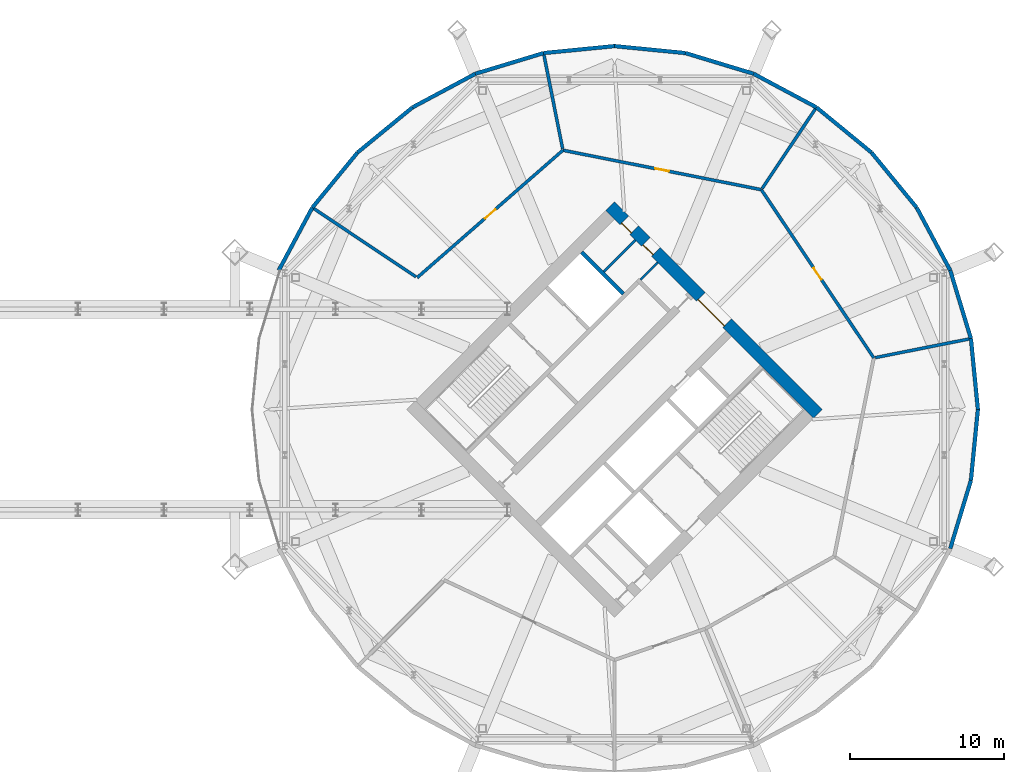
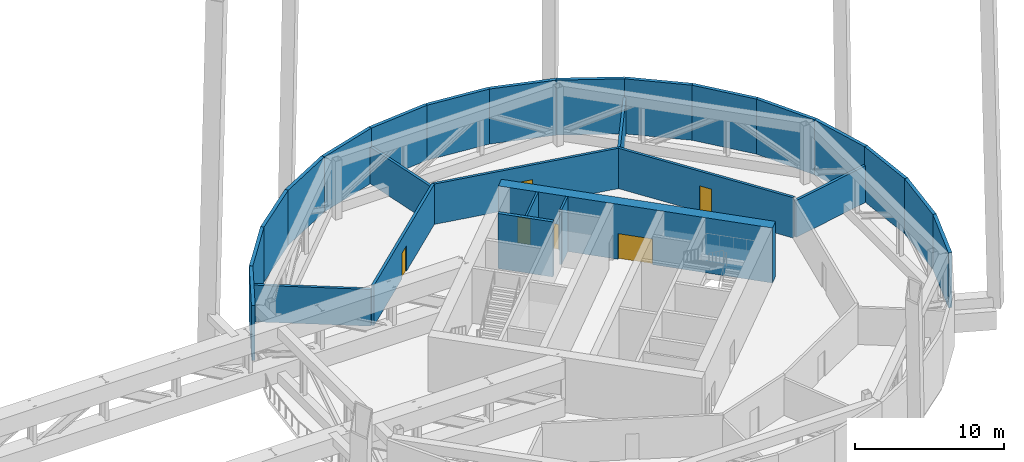
# One storey, part 16 of 19: 27 walls, 6 doors, 6 openings.
"""IFC4 building model written with IfcOpenShell, lengths in metres."""

import ifcopenshell
import ifcopenshell.guid

model = None  # the IFC model being written
_history = None  # IfcOwnerHistory: only IFC2X3 demands one
_inside = {}  # id of a spatial element -> (the spatial element, [elements in it])
_under = {}  # id of a project, library or spatial element -> (it, [spatial elements below it])
_declared = {}  # id of a project -> (the project, [libraries it declares])
_typed = {}  # id of a type object -> (the type object, [elements of that type])
_made_of = {}  # id of a material, layer set ... -> (it, [elements and type objects made of it])


def new_model(schema):
    """Start an empty IFC model of exactly this schema.

    Asked for "IFC4X3", IfcOpenShell would pick the latest addendum, in which some entities
    have other attributes; the version numbers below select the first issue.
    IFC2X3 requires an IfcOwnerHistory on every rooted entity: one is made here for all.
    """
    global model, _history
    if schema == "IFC4X3":
        model = ifcopenshell.file(schema_version=(4, 3, 0, 0))
    else:
        model = ifcopenshell.file(schema=schema)
    _inside.clear()
    _under.clear()
    _declared.clear()
    _typed.clear()
    _made_of.clear()
    _history = None
    if model.schema == "IFC2X3":
        org = make("IfcOrganization", Name="unknown")
        user = make(
            "IfcPersonAndOrganization",
            ThePerson=make("IfcPerson", FamilyName="unknown"),
            TheOrganization=org,
        )
        app = make(
            "IfcApplication",
            ApplicationDeveloper=org,
            Version="unknown",
            ApplicationFullName="unknown",
            ApplicationIdentifier="unknown",
        )
        _history = make(
            "IfcOwnerHistory",
            OwningUser=user,
            OwningApplication=app,
            ChangeAction="ADDED",
            CreationDate=0,
        )
    return model


def make(cls, **values):
    """One entity of the class cls with the attributes given. An attribute that is None is left unset."""
    return model.create_entity(
        cls, **{name: value for name, value in values.items() if value is not None}
    )


def rooted(cls, **values):
    """An entity with a GlobalId (a new one), such as an element, a storey or a relation."""
    return make(cls, GlobalId=ifcopenshell.guid.new(), OwnerHistory=_history, **values)


def si_unit(unit_type, name, prefix=None):
    """IfcSIUnit, for example si_unit("LENGTHUNIT", "METRE", prefix="MILLI")."""
    return make("IfcSIUnit", UnitType=unit_type, Prefix=prefix, Name=name)


def assignment(units):
    """IfcUnitAssignment: the units of a project."""
    return None if units is None else make("IfcUnitAssignment", Units=units)


def point(xyz):
    """IfcCartesianPoint."""
    return None if xyz is None else make("IfcCartesianPoint", Coordinates=xyz)


def direction(xyz):
    """IfcDirection."""
    return None if xyz is None else make("IfcDirection", DirectionRatios=xyz)


def frame(location, z_axis=None, x_axis=None):
    """IfcAxis2Placement3D, a coordinate frame: its origin and axes. An axis left out is left unset."""
    return make(
        "IfcAxis2Placement3D",
        Location=point(location),
        Axis=direction(z_axis),
        RefDirection=direction(x_axis),
    )


def frame_2d(location, x_axis=None):
    """IfcAxis2Placement2D, a coordinate frame in the plane: its origin and x axis."""
    return make(
        "IfcAxis2Placement2D", Location=point(location), RefDirection=direction(x_axis)
    )


def origin():
    """The frame at (0, 0, 0) with its axes left unset."""
    return frame((0.0, 0.0, 0.0))


def place(relative_to, where):
    """IfcLocalPlacement: puts the frame where relative to a parent placement (None: the world)."""
    return make(
        "IfcLocalPlacement", PlacementRelTo=relative_to, RelativePlacement=where
    )


def context(
    kind, dimensions, precision=None, world=None, true_north=None, identifier=None
):
    """IfcGeometricRepresentationContext, for example the 3D "Model" context."""
    return make(
        "IfcGeometricRepresentationContext",
        ContextIdentifier=identifier,
        ContextType=kind,
        CoordinateSpaceDimension=dimensions,
        Precision=precision,
        WorldCoordinateSystem=world,
        TrueNorth=true_north,
    )


def subcontext(parent, identifier, kind, view, scale=None):
    """IfcGeometricRepresentationSubContext, for example "Body" below "Model"."""
    return make(
        "IfcGeometricRepresentationSubContext",
        ContextIdentifier=identifier,
        ContextType=kind,
        ParentContext=parent,
        TargetScale=scale,
        TargetView=view,
    )


def project(units=None, contexts=None):
    """IfcProject with its units and contexts."""
    return rooted(
        "IfcProject",
        Name="project",
        RepresentationContexts=contexts,
        UnitsInContext=assignment(units),
    )


def spatial(cls, under=None, at=None, **own):
    """A site, building, storey or space (cls), placed at a placement, below another one or the project."""
    s = rooted(cls, ObjectPlacement=at, **own)
    if under is not None:
        _under.setdefault(under.id(), (under, []))[1].append(s)
    return s


def profile(cls, at=None, kind="AREA", **sizes):
    """A parametric profile (cls). Its sizes go by their IFC names, for example OverallWidth=200.0."""
    return make(cls, ProfileType=kind, Position=at, **sizes)


def rectangle(**sizes):
    """IfcRectangleProfileDef."""
    return profile("IfcRectangleProfileDef", **sizes)


def extrude(swept, where, along, depth):
    """IfcExtrudedAreaSolid: the profile swept, set in the frame where, extruded along a direction by depth."""
    return make(
        "IfcExtrudedAreaSolid",
        SweptArea=swept,
        Position=where,
        ExtrudedDirection=direction(along),
        Depth=depth,
    )


def shape(context_of_items, identifier, shape_type, items):
    """IfcShapeRepresentation: the items that make up one representation, for example the "Body"."""
    return make(
        "IfcShapeRepresentation",
        ContextOfItems=context_of_items,
        RepresentationIdentifier=identifier,
        RepresentationType=shape_type,
        Items=items,
    )


def material(Name=None, Category=None):
    """IfcMaterial."""
    return make("IfcMaterial", Name=Name, Category=Category)


def layer(
    of_material, thickness, ventilated=None, Name=None, Category=None, Priority=None
):
    """IfcMaterialLayer: one layer of a wall or slab, of a material (None: an air gap)."""
    return make(
        "IfcMaterialLayer",
        Material=of_material,
        LayerThickness=thickness,
        IsVentilated=ventilated,
        Name=Name,
        Category=Category,
        Priority=Priority,
    )


def layer_set(layers, Name=None):
    """IfcMaterialLayerSet."""
    return make("IfcMaterialLayerSet", MaterialLayers=layers, LayerSetName=Name)


def made_of(thing, what):
    """Note that an element or type object is made of a material, layer set ...; save() writes the relation."""
    if what is not None:
        _made_of.setdefault(what.id(), (what, []))[1].append(thing)
    return thing


def type_object(cls, material=None, **own):
    """A type object (cls), such as IfcWallType, which elements share."""
    return made_of(rooted(cls, **own), material)


def element(
    cls,
    number,
    at=None,
    inside=None,
    cuts=None,
    type_object=None,
    material=None,
    context=None,
    identifier="Body",
    shape_type=None,
    held_by="IfcProductDefinitionShape",
    body=None,
    shapes=None,
    **own,
):
    """One element of the class cls, such as IfcWall. Its Tag is "e" and its number.

    at: its placement. inside: the storey or other place that contains it. cuts: it is an
    opening in that element (IfcRelVoidsElement). A single representation is given by context,
    identifier, shape_type and body (its items); several are given by shapes. held_by: the class
    of the entity that holds the representations. save() writes the other relations.
    """
    e = rooted(cls, Tag="e%d" % number, ObjectPlacement=at, **own)
    if body is not None:
        shapes = [shape(context, identifier, shape_type, body)]
    if shapes is not None:
        e.Representation = make(held_by, Representations=shapes)
    if inside is not None:
        _inside.setdefault(inside.id(), (inside, []))[1].append(e)
    if cuts is not None:
        rooted(
            "IfcRelVoidsElement", RelatingBuildingElement=cuts, RelatedOpeningElement=e
        )
    if type_object is not None:
        _typed.setdefault(type_object.id(), (type_object, []))[1].append(e)
    return made_of(e, material)


def fill(opening, filler):
    """IfcRelFillsElement: the door or window that sits in an opening."""
    return rooted(
        "IfcRelFillsElement",
        RelatingOpeningElement=opening,
        RelatedBuildingElement=filler,
    )


def aggregate(whole, parts):
    """IfcRelAggregates: a whole, such as a stair, and the parts it consists of."""
    return rooted("IfcRelAggregates", RelatingObject=whole, RelatedObjects=parts)


def save(model, path):
    """Write the relations noted so far, then the file.

    IfcRelAggregates (storeys below a building ...), IfcRelContainedInSpatialStructure (elements
    in a storey), IfcRelDefinesByType, IfcRelAssociatesMaterial and IfcRelDeclares: one each for
    every whole, place, type object, material and project.
    """
    for whole, parts in _under.values():
        aggregate(whole, parts)
    for where, things in _inside.values():
        rooted(
            "IfcRelContainedInSpatialStructure",
            RelatedElements=things,
            RelatingStructure=where,
        )
    for kind, things in _typed.values():
        rooted("IfcRelDefinesByType", RelatedObjects=things, RelatingType=kind)
    for what, things in _made_of.values():
        rooted("IfcRelAssociatesMaterial", RelatedObjects=things, RelatingMaterial=what)
    for by, libraries in _declared.values():
        rooted("IfcRelDeclares", RelatingContext=by, RelatedDefinitions=libraries)
    model.write(path)


model = new_model("IFC4")

# Units and contexts
model_context = context("Model", 3, precision=1e-05, world=origin(), true_north=direction((0.0, 1.0)))
body_context = subcontext(model_context, "Body", "Model", "MODEL_VIEW")
ifc_project = project(units=[si_unit("LENGTHUNIT", "METRE"), si_unit("AREAUNIT", "SQUARE_METRE"), si_unit("VOLUMEUNIT", "CUBIC_METRE"), si_unit("PLANEANGLEUNIT", "RADIAN"), si_unit("MASSUNIT", "GRAM", prefix="KILO")], contexts=[model_context])

# Site, building, storey
site_placement = place(None, origin())
site = spatial("IfcSite", under=ifc_project, at=site_placement, CompositionType="ELEMENT")
building_placement = place(site_placement, origin())
building = spatial("IfcBuilding", under=site, at=building_placement, Name="Ogive Gate Towers", CompositionType="ELEMENT")
storey_placement = place(building_placement, frame((0.0, 0.0, 130.800048828125)))
storey = spatial("IfcBuildingStorey", under=building, at=storey_placement, Name="L31", CompositionType="ELEMENT", Elevation=130.800048828125)

# Walls
ifc_material_1 = material(Name="Fire-rated block compartment wall")
ifc_layer_1 = layer(ifc_material_1, 0.199951171875)
ifc_layer_set_1 = layer_set([ifc_layer_1], Name="Compartment wall 200")
wall_type_1 = type_object("IfcWallType", Name="Compartment wall 200", PredefinedType="PARTITIONING", material=ifc_layer_set_1)
for number, where, z_axis, x_axis, name in (
    (1, (59.096923828125, 4.59423828125, 0.0), (0.0, 0.0, 1.0), (-0.980788982163, -0.195071711091, 0.0), "Partition T2-L31-001"),
    (2, (49.08349609375, 19.580810546875, 0.0), (0.0, 0.0, 1.0), (-0.555588641483, -0.831457311866, 0.0), "Partition T2-L31-002"),
    (3, (31.40576171875, 23.096923828125, 0.0), (0.0, 0.0, 1.0), (0.195071711091, -0.980788982163, 0.0), "Partition T2-L31-003"),
):
    element("IfcWall", number, at=place(storey_placement, frame(where, z_axis=z_axis, x_axis=x_axis)), inside=storey, type_object=wall_type_1, Name=name, PredefinedType="PARTITIONING", context=body_context, shape_type="SweptSolid", body=[
        extrude(rectangle(XDim=6.339111328125, YDim=0.199951171875, at=frame_2d((3.16943359375, 0.0))), origin(), (0.0, 0.0, 1.0), 3.0),
    ])
wall_1_placement = place(storey_placement, frame((16.419189453125, 13.08349609375, 0.0), z_axis=(0.0, 0.0, 1.0), x_axis=(0.831464778543, -0.555577467183, 0.0)))
element("IfcWall", 4, at=wall_1_placement, inside=storey, type_object=wall_type_1, Name="Partition T2-L31-004", PredefinedType="PARTITIONING", context=body_context, shape_type="SweptSolid", body=[
    extrude(rectangle(XDim=8.089111328125, YDim=0.199951171875, at=frame_2d((4.04443359375, 0.0))), origin(), (0.0, 0.0, 1.0), 3.0),
])

# Wall, opening, door
wall_2_placement = place(storey_placement, frame((52.78173828125, 3.338134765625, 0.0), z_axis=(0.0, 0.0, 1.0), x_axis=(-0.555573232805, 0.831467607902, 0.0)))
wall_2 = element("IfcWall", 5, at=wall_2_placement, inside=storey, type_object=wall_type_1, Name="Partition T2-L31-013", PredefinedType="PARTITIONING", context=body_context, shape_type="SweptSolid", body=[
    extrude(rectangle(XDim=13.095703125, YDim=0.199951171875, at=frame_2d((6.5478515625, 0.0))), origin(), (0.0, 0.0, 1.0), 3.300048828125),
])
opening_1_placement = place(wall_2_placement, frame((6.097900390625, 0.0, 0.0)))
opening_1 = element("IfcOpeningElement", 6, at=opening_1_placement, cuts=wall_2, Name="Opening T2-L31-D05", PredefinedType="OPENING", context=body_context, shape_type="SweptSolid", body=[
    extrude(rectangle(XDim=0.89990234375, YDim=2.10009765625, at=frame_2d((0.449951171875, 1.050048828125))), frame((0.0, 0.10986328125, 0.0), z_axis=(0.0, -1.0, 0.0), x_axis=(1.0, 0.0, 0.0)), (0.0, 0.0, 1.0), 0.219970703125),
])
ifc_material_2 = material(Name="Steel fire door", Category="steel")
door_type_1 = type_object("IfcDoorType", Name="Fire door 900 FD30S", OperationType="NOTDEFINED", PredefinedType="DOOR", material=ifc_material_2)
door_1_placement = place(opening_1_placement, origin())
door_1 = element("IfcDoor", 7, at=door_1_placement, inside=storey, type_object=door_type_1, Name="Door T2-L31-D05", OperationType="SINGLE_SWING_LEFT", OverallHeight=2.10009765625, OverallWidth=0.89990234375, PredefinedType="DOOR", context=body_context, shape_type="SweptSolid", body=[
    extrude(rectangle(XDim=0.89990234375, YDim=2.10009765625, at=frame_2d((0.449951171875, 1.050048828125))), frame((0.0, 0.02490234375, 0.0), z_axis=(0.0, -1.0, 0.0), x_axis=(1.0, 0.0, 0.0)), (0.0, 0.0, 1.0), 0.050048828125),
])
fill(opening_1, door_1)

wall_3_placement = place(storey_placement, frame((45.506103515625, 14.226806640625, 0.0), z_axis=(0.0, 0.0, 1.0), x_axis=(-0.980784494378, 0.195094273592, 0.0)))
wall_3 = element("IfcWall", 8, at=wall_3_placement, inside=storey, type_object=wall_type_1, Name="Partition T2-L31-014", PredefinedType="PARTITIONING", context=body_context, shape_type="SweptSolid", body=[
    extrude(rectangle(XDim=13.095947265625, YDim=0.199951171875, at=frame_2d((6.5478515625, 0.0))), origin(), (0.0, 0.0, 1.0), 3.300048828125),
])
opening_2_placement = place(wall_3_placement, frame((6.097900390625, 0.0, 0.0)))
opening_2 = element("IfcOpeningElement", 9, at=opening_2_placement, cuts=wall_3, Name="Opening T2-L31-D06", PredefinedType="OPENING", context=body_context, shape_type="SweptSolid", body=[
    extrude(rectangle(XDim=0.89990234375, YDim=2.10009765625, at=frame_2d((0.449951171875, 1.050048828125))), frame((0.0, 0.10986328125, 0.0), z_axis=(0.0, -1.0, 0.0), x_axis=(1.0, 0.0, 0.0)), (0.0, 0.0, 1.0), 0.219970703125),
])
door_2_placement = place(opening_2_placement, origin())
door_2 = element("IfcDoor", 10, at=door_2_placement, inside=storey, type_object=door_type_1, Name="Door T2-L31-D06", OperationType="SINGLE_SWING_LEFT", OverallHeight=2.10009765625, OverallWidth=0.89990234375, PredefinedType="DOOR", context=body_context, shape_type="SweptSolid", body=[
    extrude(rectangle(XDim=0.89990234375, YDim=2.10009765625, at=frame_2d((0.449951171875, 1.050048828125))), frame((0.0, 0.02490234375, 0.0), z_axis=(0.0, -1.0, 0.0), x_axis=(1.0, 0.0, 0.0)), (0.0, 0.0, 1.0), 0.050048828125),
])
fill(opening_2, door_2)

wall_4_placement = place(storey_placement, frame((32.661865234375, 16.78173828125, 0.0), z_axis=(0.0, 0.0, 1.0), x_axis=(-0.752827679133, -0.658217658174, 0.0)))
wall_4 = element("IfcWall", 11, at=wall_4_placement, inside=storey, type_object=wall_type_1, Name="Partition T2-L31-015", PredefinedType="PARTITIONING", context=body_context, shape_type="SweptSolid", body=[
    extrude(rectangle(XDim=12.53076171875, YDim=0.199951171875, at=frame_2d((6.265380859375, 0.0))), origin(), (0.0, 0.0, 1.0), 3.300048828125),
])
opening_3_placement = place(wall_4_placement, frame((5.81494140625, 0.0, 0.0)))
opening_3 = element("IfcOpeningElement", 12, at=opening_3_placement, cuts=wall_4, Name="Opening T2-L31-D07", PredefinedType="OPENING", context=body_context, shape_type="SweptSolid", body=[
    extrude(rectangle(XDim=0.89990234375, YDim=2.10009765625, at=frame_2d((0.449951171875, 1.050048828125))), frame((0.0, 0.10986328125, 0.0), z_axis=(0.0, -1.0, 0.0), x_axis=(1.0, 0.0, 0.0)), (0.0, 0.0, 1.0), 0.219970703125),
])
door_3_placement = place(opening_3_placement, origin())
door_3 = element("IfcDoor", 13, at=door_3_placement, inside=storey, type_object=door_type_1, Name="Door T2-L31-D07", OperationType="SINGLE_SWING_RIGHT", OverallHeight=2.10009765625, OverallWidth=0.89990234375, PredefinedType="DOOR", context=body_context, shape_type="SweptSolid", body=[
    extrude(rectangle(XDim=0.89990234375, YDim=2.10009765625, at=frame_2d((0.449951171875, 1.050048828125))), frame((0.0, 0.02490234375, 0.0), z_axis=(0.0, -1.0, 0.0), x_axis=(1.0, 0.0, 0.0)), (0.0, 0.0, 1.0), 0.050048828125),
])
fill(opening_3, door_3)

# Wall, openings, doors
ifc_material_3 = material(Name="Concrete C60/75", Category="concrete")
ifc_layer_2 = layer(ifc_material_3, 0.800048828125)
ifc_layer_set_2 = layer_set([ifc_layer_2], Name="Core wall 800 mm")
wall_type_2 = type_object("IfcWallType", Name="Core wall 800 mm", PredefinedType="SHEAR", material=ifc_layer_set_2)
wall_5_placement = place(storey_placement, frame((49.152099609375, -0.28271484375, 0.0), z_axis=(0.0, 0.0, 1.0), x_axis=(-0.707106781187, 0.707106781187, 0.0)))
wall_5 = element("IfcWall", 14, at=wall_5_placement, inside=storey, type_object=wall_type_2, Name="T2 L31 Core wall 800 mm", PredefinedType="SHEAR", context=body_context, shape_type="SweptSolid", body=[
    extrude(rectangle(XDim=18.999755859375, YDim=0.800048828125, at=frame_2d((9.5, 0.0))), origin(), (0.0, 0.0, 1.0), 4.5),
])
opening_4_placement = place(wall_5_placement, frame((8.300048828125, 0.0, 0.0)))
opening_4 = element("IfcOpeningElement", 15, at=opening_4_placement, cuts=wall_5, Name="Opening KD-T2-L31-01", PredefinedType="OPENING", context=body_context, shape_type="SweptSolid", body=[
    extrude(rectangle(XDim=2.39990234375, YDim=2.10009765625, at=frame_2d((1.199951171875, 1.050048828125))), frame((0.0, 0.41015625, 0.0), z_axis=(0.0, -1.0, 0.0), x_axis=(1.0, 0.0, 0.0)), (0.0, 0.0, 1.0), 0.820068359375),
])
opening_5_placement = place(wall_5_placement, frame((14.824951171875, 0.0, 0.0)))
opening_5 = element("IfcOpeningElement", 16, at=opening_5_placement, cuts=wall_5, Name="Opening KD-T2-L31-10", PredefinedType="OPENING", context=body_context, shape_type="SweptSolid", body=[
    extrude(rectangle(XDim=0.89990234375, YDim=2.10009765625, at=frame_2d((0.449951171875, 1.050048828125))), frame((0.0, 0.41015625, 0.0), z_axis=(0.0, -1.0, 0.0), x_axis=(1.0, 0.0, 0.0)), (0.0, 0.0, 1.0), 0.820068359375),
])
opening_6_placement = place(wall_5_placement, frame((16.800048828125, 0.0, 0.0)))
opening_6 = element("IfcOpeningElement", 17, at=opening_6_placement, cuts=wall_5, Name="Opening KD-T2-L31-11", PredefinedType="OPENING", context=body_context, shape_type="SweptSolid", body=[
    extrude(rectangle(XDim=0.89990234375, YDim=2.10009765625, at=frame_2d((0.449951171875, 1.050048828125))), frame((0.0, 0.41015625, 0.0), z_axis=(0.0, -1.0, 0.0), x_axis=(1.0, 0.0, 0.0)), (0.0, 0.0, 1.0), 0.820068359375),
])
door_type_2 = type_object("IfcDoorType", Name="Core door FD60S 900 x 2100", OperationType="NOTDEFINED", PredefinedType="DOOR", material=ifc_material_2)
door_4_placement = place(opening_5_placement, origin())
door_4 = element("IfcDoor", 18, at=door_4_placement, inside=storey, type_object=door_type_2, Name="T2 L31 Core door", OperationType="SINGLE_SWING_LEFT", OverallHeight=2.10009765625, OverallWidth=0.89990234375, PredefinedType="DOOR", context=body_context, shape_type="SweptSolid", body=[
    extrude(rectangle(XDim=0.89990234375, YDim=2.10009765625, at=frame_2d((0.449951171875, 1.050048828125))), frame((0.0, 0.27490234375, 0.0), z_axis=(0.0, -1.0, 0.0), x_axis=(1.0, 0.0, 0.0)), (0.0, 0.0, 1.0), 0.050048828125),
])
fill(opening_5, door_4)
door_5_placement = place(opening_6_placement, origin())
door_5 = element("IfcDoor", 19, at=door_5_placement, inside=storey, type_object=door_type_2, Name="T2 L31 Core door", OperationType="SINGLE_SWING_RIGHT", OverallHeight=2.10009765625, OverallWidth=0.89990234375, PredefinedType="DOOR", context=body_context, shape_type="SweptSolid", body=[
    extrude(rectangle(XDim=0.89990234375, YDim=2.10009765625, at=frame_2d((0.449951171875, 1.050048828125))), frame((0.0, 0.27490234375, 0.0), z_axis=(0.0, -1.0, 0.0), x_axis=(1.0, 0.0, 0.0)), (0.0, 0.0, 1.0), 0.050048828125),
])
fill(opening_6, door_5)
door_type_3 = type_object("IfcDoorType", Name="Core double door FD60S 2400 x 2100", OperationType="DOUBLE_DOOR_SINGLE_SWING", PredefinedType="DOOR", material=ifc_material_2)
door_6_placement = place(opening_4_placement, origin())
door_6 = element("IfcDoor", 20, at=door_6_placement, inside=storey, type_object=door_type_3, Name="T2 L31 Core door double", OperationType="DOUBLE_DOOR_SINGLE_SWING", OverallHeight=2.10009765625, OverallWidth=2.39990234375, PredefinedType="DOOR", context=body_context, shape_type="SweptSolid", body=[
    extrude(rectangle(XDim=2.39990234375, YDim=2.10009765625, at=frame_2d((1.199951171875, 1.050048828125))), frame((0.0, 0.27490234375, 0.0), z_axis=(0.0, -1.0, 0.0), x_axis=(1.0, 0.0, 0.0)), (0.0, 0.0, 1.0), 0.050048828125),
])
fill(opening_4, door_6)

# Walls
ifc_material_4 = material(Name="Pale metal aluminium louvre", Category="aluminium")
ifc_layer_3 = layer(ifc_material_4, 0.25)
ifc_layer_set_3 = layer_set([ifc_layer_3], Name="Plant louvre wall")
wall_type_3 = type_object("IfcWallType", Name="Plant louvre wall", PredefinedType="SOLIDWALL", material=ifc_layer_set_3)
for number, where, z_axis, x_axis, name in (
    (21, (59.52490234375, 0.0, 0.0), (0.0, 0.0, 1.0), (-0.097988833916, 0.995187514204, 0.0), "Plant louvre wall"),
    (22, (59.072998046875, 4.589599609375, 0.0), (0.0, 0.0, 1.0), (-0.290318871111, 0.956929962472, 0.0), "Plant louvre wall"),
):
    element("IfcWall", number, at=place(storey_placement, frame(where, z_axis=z_axis, x_axis=x_axis)), inside=storey, type_object=wall_type_3, Name=name, PredefinedType="SOLIDWALL", context=body_context, shape_type="SweptSolid", body=[
        extrude(rectangle(XDim=4.61181640625, YDim=0.25, at=frame_2d((2.305908203125, 0.0))), origin(), (0.0, 0.0, 1.0), 4.5),
    ])
wall_6_placement = place(storey_placement, frame((57.734130859375, 9.002685546875, 0.0), z_axis=(0.0, 0.0, 1.0), x_axis=(-0.471401410414, 0.881918766248, 0.0)))
element("IfcWall", 23, at=wall_6_placement, inside=storey, type_object=wall_type_3, Name="Plant louvre wall", PredefinedType="SOLIDWALL", context=body_context, shape_type="SweptSolid", body=[
    extrude(rectangle(XDim=4.611328125, YDim=0.25, at=frame_2d((2.3056640625, 0.0))), origin(), (0.0, 0.0, 1.0), 4.5),
])
for number, where, z_axis, x_axis, name in (
    (24, (55.560302734375, 13.069580078125, 0.0), (0.0, 0.0, 1.0), (-0.634407464911, 0.772998815306, 0.0), "Plant louvre wall"),
    (25, (52.634521484375, 16.634521484375, 0.0), (0.0, 0.0, 1.0), (-0.772998815306, 0.634407464911, 0.0), "Plant louvre wall"),
):
    element("IfcWall", number, at=place(storey_placement, frame(where, z_axis=z_axis, x_axis=x_axis)), inside=storey, type_object=wall_type_3, Name=name, PredefinedType="SOLIDWALL", context=body_context, shape_type="SweptSolid", body=[
        extrude(rectangle(XDim=4.61181640625, YDim=0.25, at=frame_2d((2.305908203125, 0.0))), origin(), (0.0, 0.0, 1.0), 4.5),
    ])
wall_7_placement = place(storey_placement, frame((49.069580078125, 19.560302734375, 0.0), z_axis=(0.0, 0.0, 1.0), x_axis=(-0.881918766248, 0.471401410414, 0.0)))
element("IfcWall", 26, at=wall_7_placement, inside=storey, type_object=wall_type_3, Name="Plant louvre wall", PredefinedType="SOLIDWALL", context=body_context, shape_type="SweptSolid", body=[
    extrude(rectangle(XDim=4.611328125, YDim=0.25, at=frame_2d((2.3056640625, 0.0))), origin(), (0.0, 0.0, 1.0), 4.5),
])
for number, where, z_axis, x_axis, name in (
    (27, (45.002685546875, 21.734130859375, 0.0), (0.0, 0.0, 1.0), (-0.956929962472, 0.290318871111, 0.0), "Plant louvre wall"),
    (28, (40.589599609375, 23.072998046875, 0.0), (0.0, 0.0, 1.0), (-0.995187514204, 0.097988833916, 0.0), "Plant louvre wall"),
    (29, (36.0, 23.52490234375, 0.0), (0.0, 0.0, 1.0), (-0.995187514204, -0.097988833916, 0.0), "Plant louvre wall"),
    (30, (31.410400390625, 23.072998046875, 0.0), (0.0, 0.0, 1.0), (-0.956929962472, -0.290318871111, 0.0), "Plant louvre wall"),
):
    element("IfcWall", number, at=place(storey_placement, frame(where, z_axis=z_axis, x_axis=x_axis)), inside=storey, type_object=wall_type_3, Name=name, PredefinedType="SOLIDWALL", context=body_context, shape_type="SweptSolid", body=[
        extrude(rectangle(XDim=4.61181640625, YDim=0.25, at=frame_2d((2.305908203125, 0.0))), origin(), (0.0, 0.0, 1.0), 4.5),
    ])
wall_8_placement = place(storey_placement, frame((26.997314453125, 21.734130859375, 0.0), z_axis=(0.0, 0.0, 1.0), x_axis=(-0.881918766248, -0.471401410414, 0.0)))
element("IfcWall", 31, at=wall_8_placement, inside=storey, type_object=wall_type_3, Name="Plant louvre wall", PredefinedType="SOLIDWALL", context=body_context, shape_type="SweptSolid", body=[
    extrude(rectangle(XDim=4.611328125, YDim=0.25, at=frame_2d((2.3056640625, 0.0))), origin(), (0.0, 0.0, 1.0), 4.5),
])
for number, where, z_axis, x_axis, name in (
    (32, (22.930419921875, 19.560302734375, 0.0), (0.0, 0.0, 1.0), (-0.772998815306, -0.634407464911, 0.0), "Plant louvre wall"),
    (33, (19.365478515625, 16.634521484375, 0.0), (0.0, 0.0, 1.0), (-0.634407464911, -0.772998815306, 0.0), "Plant louvre wall"),
):
    element("IfcWall", number, at=place(storey_placement, frame(where, z_axis=z_axis, x_axis=x_axis)), inside=storey, type_object=wall_type_3, Name=name, PredefinedType="SOLIDWALL", context=body_context, shape_type="SweptSolid", body=[
        extrude(rectangle(XDim=4.61181640625, YDim=0.25, at=frame_2d((2.305908203125, 0.0))), origin(), (0.0, 0.0, 1.0), 4.5),
    ])
wall_9_placement = place(storey_placement, frame((16.439697265625, 13.069580078125, 0.0), z_axis=(0.0, 0.0, 1.0), x_axis=(-0.471401410414, -0.881918766248, 0.0)))
element("IfcWall", 34, at=wall_9_placement, inside=storey, type_object=wall_type_3, Name="Plant louvre wall", PredefinedType="SOLIDWALL", context=body_context, shape_type="SweptSolid", body=[
    extrude(rectangle(XDim=4.611328125, YDim=0.25, at=frame_2d((2.3056640625, 0.0))), origin(), (0.0, 0.0, 1.0), 4.5),
])
for number, where, z_axis, x_axis, name in (
    (35, (57.734130859375, -9.002685546875, 0.0), (0.0, 0.0, 1.0), (0.290318871111, 0.956929962472, 0.0), "Plant louvre wall"),
    (36, (59.072998046875, -4.589599609375, 0.0), (0.0, 0.0, 1.0), (0.097988833916, 0.995187514204, 0.0), "Plant louvre wall"),
):
    element("IfcWall", number, at=place(storey_placement, frame(where, z_axis=z_axis, x_axis=x_axis)), inside=storey, type_object=wall_type_3, Name=name, PredefinedType="SOLIDWALL", context=body_context, shape_type="SweptSolid", body=[
        extrude(rectangle(XDim=4.61181640625, YDim=0.25, at=frame_2d((2.305908203125, 0.0))), origin(), (0.0, 0.0, 1.0), 4.5),
    ])
ifc_material_5 = material(Name="Gypsum board partition")
ifc_layer_4 = layer(ifc_material_5, 0.14990234375)
ifc_layer_set_4 = layer_set([ifc_layer_4], Name="Room partition 150 mm")
wall_type_4 = type_object("IfcWallType", Name="Room partition 150 mm", PredefinedType="PARTITIONING", material=ifc_layer_set_4)
wall_10_placement = place(storey_placement, frame((37.679443359375, 8.39697265625, 0.0), z_axis=(0.0, 0.0, 1.0), x_axis=(0.70718428508, 0.707029268797, 0.0)))
element("IfcWall", 37, at=wall_10_placement, inside=storey, type_object=wall_type_4, Name="T2 L31 Room partition 150 mm", PredefinedType="PARTITIONING", context=body_context, shape_type="SweptSolid", body=[
    extrude(rectangle(XDim=1.574951171875, YDim=0.14990234375, at=frame_2d((0.78759765625, 0.0))), origin(), (0.0, 0.0, 1.0), 4.5),
])
wall_11_placement = place(storey_placement, frame((35.310546875, 8.92724609375, 0.0), z_axis=(0.0, 0.0, 1.0), x_axis=(0.707106781187, 0.707106781187, 0.0)))
element("IfcWall", 38, at=wall_11_placement, inside=storey, type_object=wall_type_4, Name="T2 L31 Room partition 150 mm", PredefinedType="PARTITIONING", context=body_context, shape_type="SweptSolid", body=[
    extrude(rectangle(XDim=2.875, YDim=0.14990234375, at=frame_2d((1.4375, 0.0))), origin(), (0.0, 0.0, 1.0), 4.5),
])
ifc_layer_5 = layer(ifc_material_3, 0.25)
ifc_layer_set_5 = layer_set([ifc_layer_5], Name="Shaft wall 250 mm")
wall_type_5 = type_object("IfcWallType", Name="Shaft wall 250 mm", PredefinedType="SHEAR", material=ifc_layer_set_5)
wall_12_placement = place(storey_placement, frame((36.58349609375, 7.477783203125, 0.0), z_axis=(0.0, 0.0, 1.0), x_axis=(-0.707138693938, 0.707074866995, 0.0)))
element("IfcWall", 39, at=wall_12_placement, inside=storey, type_object=wall_type_5, Name="T2 L31 Shaft wall 250 mm", PredefinedType="SHEAR", context=body_context, shape_type="SweptSolid", body=[
    extrude(rectangle(XDim=3.824951171875, YDim=0.25, at=frame_2d((1.91259765625, 0.0))), origin(), (0.0, 0.0, 1.0), 4.5),
])

save(model, "model.ifc")
